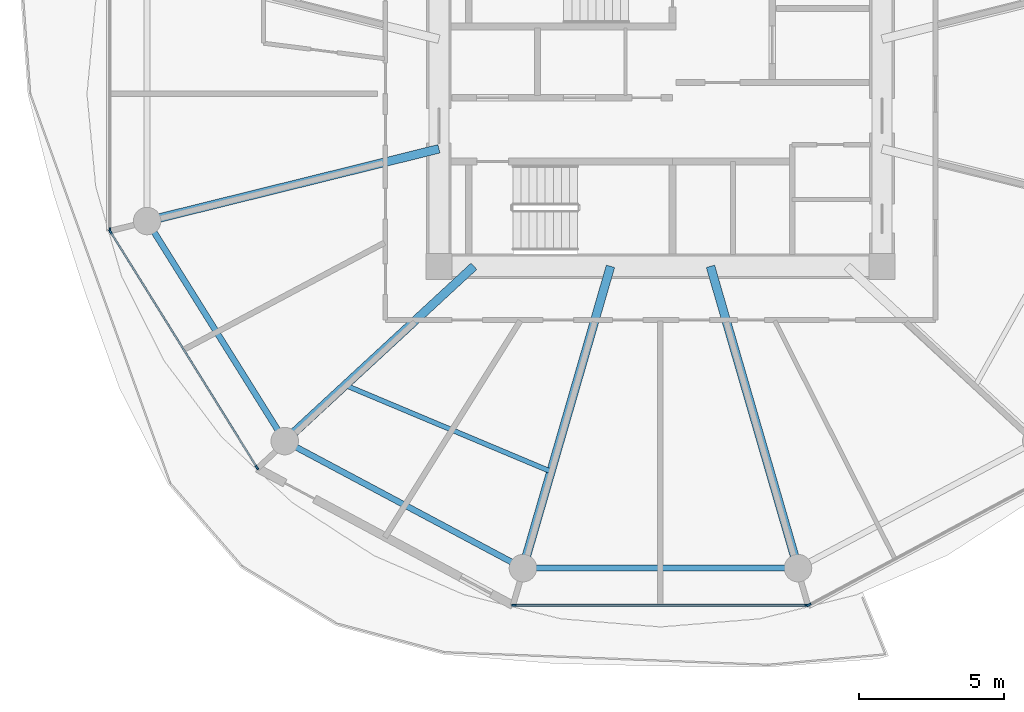
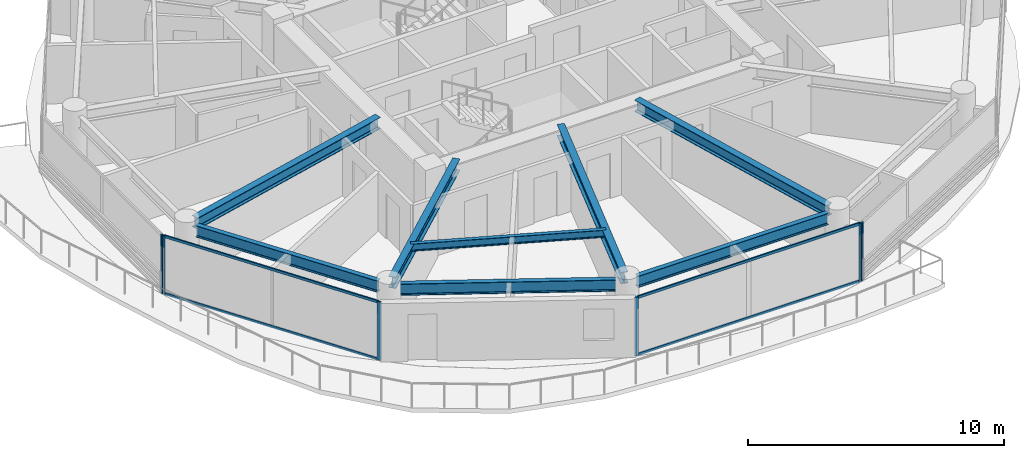
# One storey, part 2 of 28: 10 members, 8 beams, 4 elements without a shape of their own.
"""IFC4 building model written with IfcOpenShell, lengths in metres."""

from ifc_helpers import new_model, si_unit, direction, frame, origin, origin_2d, place, context, subcontext, project, spatial, rectangle, i_section, extrude, source, transform, mapped, material, layer, layer_set, material_profile, profile_set, type_object, type_shapes, element, aggregate, save


model = new_model("IFC4")

# Units and contexts
model_context = context("Model", 3, precision=1e-05, world=origin(), true_north=direction((0.0, 1.0)))
body_context = subcontext(model_context, "Body", "Model", "MODEL_VIEW")
ifc_project = project(units=[si_unit("LENGTHUNIT", "METRE"), si_unit("AREAUNIT", "SQUARE_METRE"), si_unit("VOLUMEUNIT", "CUBIC_METRE"), si_unit("PLANEANGLEUNIT", "RADIAN"), si_unit("MASSUNIT", "GRAM", prefix="KILO")], contexts=[model_context])

# Site, building, storey
site_placement = place(None, origin())
site = spatial("IfcSite", under=ifc_project, at=site_placement, CompositionType="ELEMENT")
building_placement = place(site_placement, origin())
building = spatial("IfcBuilding", under=site, at=building_placement, Name="Norrkilde Senior Care Towers", CompositionType="ELEMENT")
storey_placement = place(building_placement, frame((0.0, 0.0, 39.89990234375)))
storey = spatial("IfcBuildingStorey", under=building, at=storey_placement, Name="L11", CompositionType="ELEMENT", Elevation=39.89990234375)

# Beams
ifc_material_1 = material(Name="Steel S355", Category="steel")
ifc_material_profile_1 = material_profile(ifc_material_1, i_section(OverallWidth=0.2099609375, OverallDepth=0.550048828125, WebThickness=0.010986328125, FlangeThickness=0.01708984375, FilletRadius=0.02392578125, at=origin_2d()), Name="IPE 550")
ifc_profile_set_1 = profile_set([ifc_material_profile_1], Name="Steel S355")
beam_type_1 = type_object("IfcBeamType", Name="Perimeter Ring Spandrel Z1 IPE550", PredefinedType="SPANDREL", material=ifc_profile_set_1)
shared_shape_1 = source(origin(), body_context, "Body", "SweptSolid", [
    extrude(i_section(OverallWidth=0.2099609375, OverallDepth=0.550048828125, WebThickness=0.010986328125, FlangeThickness=0.01708984375, FilletRadius=0.02392578125, at=origin_2d()), origin(), (0.0, 0.0, 1.0), 8.090576171875),
])
beam_1_placement = place(storey_placement, frame((-45.494140625, -4.755859375, 2.51513671875), z_axis=(0.530004364821, -0.84799491347, 0.0), x_axis=(0.84799491347, 0.530004364821, 0.0)))
element("IfcBeam", 1, at=beam_1_placement, inside=storey, type_object=beam_type_1, Name="L11 Drum W Perimeter Spandrel 07", PredefinedType="SPANDREL", context=body_context, shape_type="MappedRepresentation", body=[
    mapped(shared_shape_1, transform((0.0, 0.0, 0.0), x_axis=(1.0, 0.0, 0.0), y_axis=(0.0, 1.0, 0.0), z_axis=(0.0, 0.0, 1.0), scale=1.0)),
])
ifc_material_profile_2 = material_profile(ifc_material_1, i_section(OverallWidth=0.300048828125, OverallDepth=0.550048828125, WebThickness=0.014892578125, FlangeThickness=0.029052734375, FilletRadius=0.027099609375, at=origin_2d()), Name="HEB 550")
ifc_profile_set_2 = profile_set([ifc_material_profile_2], Name="Steel S355")
beam_type_2 = type_object("IfcBeamType", Name="Radial Floor Beam Z1 HEB550", PredefinedType="BEAM", material=ifc_profile_set_2)
shared_shape_2 = source(origin(), body_context, "Body", "SweptSolid", [
    extrude(i_section(OverallWidth=0.300048828125, OverallDepth=0.550048828125, WebThickness=0.014892578125, FlangeThickness=0.029052734375, FilletRadius=0.027099609375, at=origin_2d()), origin(), (0.0, 0.0, 1.0), 9.94384765625),
])
beam_2_placement = place(storey_placement, frame((-35.64990234375, -1.893310546875, 2.51513671875), z_axis=(-0.970707425182, -0.240264634718, 0.0), x_axis=(0.240264634718, -0.970707425182, 0.0)))
element("IfcBeam", 2, at=beam_2_placement, inside=storey, type_object=beam_type_2, Name="L11 Drum W Radial Floor Beam 07", PredefinedType="BEAM", context=body_context, shape_type="MappedRepresentation", body=[
    mapped(shared_shape_2, transform((0.0, 0.0, 0.0), x_axis=(1.0, 0.0, 0.0), y_axis=(0.0, 1.0, 0.0), z_axis=(0.0, 0.0, 1.0), scale=1.0)),
])
shared_shape_3 = source(origin(), body_context, "Body", "SweptSolid", [
    extrude(i_section(OverallWidth=0.2099609375, OverallDepth=0.550048828125, WebThickness=0.010986328125, FlangeThickness=0.01708984375, FilletRadius=0.02392578125, at=origin_2d()), origin(), (0.0, 0.0, 1.0), 8.452880859375),
])
beam_3_placement = place(storey_placement, frame((-40.591552734375, -12.190185546875, 2.51513671875), z_axis=(0.882368931134, -0.470558252898, 0.0), x_axis=(0.470558252898, 0.882368931134, 0.0)))
element("IfcBeam", 3, at=beam_3_placement, inside=storey, type_object=beam_type_1, Name="L11 Drum W Perimeter Spandrel 08", PredefinedType="SPANDREL", context=body_context, shape_type="MappedRepresentation", body=[
    mapped(shared_shape_3, transform((0.0, 0.0, 0.0), x_axis=(1.0, 0.0, 0.0), y_axis=(0.0, 1.0, 0.0), z_axis=(0.0, 0.0, 1.0), scale=1.0)),
])
shared_shape_4 = source(origin(), body_context, "Body", "SweptSolid", [
    extrude(i_section(OverallWidth=0.300048828125, OverallDepth=0.550048828125, WebThickness=0.014892578125, FlangeThickness=0.029052734375, FilletRadius=0.027099609375, at=origin_2d()), origin(), (0.0, 0.0, 1.0), 8.459716796875),
])
beam_4_placement = place(storey_placement, frame((-34.44140625, -5.949951171875, 2.51513671875), z_axis=(-0.734573269108, -0.678529374686, 0.0), x_axis=(0.678529374686, -0.734573269108, 0.0)))
element("IfcBeam", 4, at=beam_4_placement, inside=storey, type_object=beam_type_2, Name="L11 Drum W Radial Floor Beam 08", PredefinedType="BEAM", context=body_context, shape_type="MappedRepresentation", body=[
    mapped(shared_shape_4, transform((0.0, 0.0, 0.0), x_axis=(1.0, 0.0, 0.0), y_axis=(0.0, 1.0, 0.0), z_axis=(0.0, 0.0, 1.0), scale=1.0)),
])
shared_shape_5 = source(origin(), body_context, "Body", "SweptSolid", [
    extrude(i_section(OverallWidth=0.2099609375, OverallDepth=0.550048828125, WebThickness=0.010986328125, FlangeThickness=0.01708984375, FilletRadius=0.02392578125, at=origin_2d()), origin(), (0.0, 0.0, 1.0), 8.62841796875),
])
type_shapes(beam_type_1, [shared_shape_1, shared_shape_3, shared_shape_5])
beam_5_placement = place(storey_placement, frame((-32.314208984375, -16.37255859375, 2.51513671875), z_axis=(1.0, 0.0, 0.0), x_axis=(0.0, 1.0, 0.0)))
element("IfcBeam", 5, at=beam_5_placement, inside=storey, type_object=beam_type_1, Name="L11 Drum W Perimeter Spandrel 09", PredefinedType="SPANDREL", context=body_context, shape_type="MappedRepresentation", body=[
    mapped(shared_shape_5, transform((0.0, 0.0, 0.0), x_axis=(1.0, 0.0, 0.0), y_axis=(0.0, 1.0, 0.0), z_axis=(0.0, 0.0, 1.0), scale=1.0)),
])
shared_shape_6 = source(origin(), body_context, "Body", "SweptSolid", [
    extrude(i_section(OverallWidth=0.300048828125, OverallDepth=0.550048828125, WebThickness=0.014892578125, FlangeThickness=0.029052734375, FilletRadius=0.027099609375, at=origin_2d()), origin(), (0.0, 0.0, 1.0), 10.4169921875),
])
type_shapes(beam_type_2, [shared_shape_2, shared_shape_4, shared_shape_6])
for number, where, z_axis, x_axis, name in (
    (6, (-29.72607421875, -5.949951171875, 2.51513671875), (-0.278591250785, -0.960409764104, 0.0), (0.960409764104, -0.278591250785, 0.0), "L11 Drum W Radial Floor Beam 09"),
    (7, (-26.27392578125, -5.949951171875, 2.51513671875), (0.278591250785, -0.960409764104, 0.0), (0.960409764104, 0.278591250785, 0.0), "L11 Drum W Radial Floor Beam 10"),
):
    element("IfcBeam", number, at=place(storey_placement, frame(where, z_axis=z_axis, x_axis=x_axis)), inside=storey, type_object=beam_type_2, Name=name, PredefinedType="BEAM", context=body_context, shape_type="MappedRepresentation", body=[
        mapped(shared_shape_6, transform((0.0, 0.0, 0.0), x_axis=(1.0, 0.0, 0.0), y_axis=(0.0, 1.0, 0.0), z_axis=(0.0, 0.0, 1.0), scale=1.0)),
    ])
ifc_material_profile_3 = material_profile(ifc_material_1, i_section(OverallWidth=0.169921875, OverallDepth=0.360107421875, WebThickness=0.008056640625, FlangeThickness=0.0126953125, FilletRadius=0.01806640625, at=origin_2d()), Name="IPE 360")
ifc_profile_set_3 = profile_set([ifc_material_profile_3], Name="Steel S355")
beam_type_3 = type_object("IfcBeamType", Name="Secondary Floor Joist IPE360", PredefinedType="JOIST", material=ifc_profile_set_3)
shared_shape_7 = source(origin(), body_context, "Body", "SweptSolid", [
    extrude(i_section(OverallWidth=0.169921875, OverallDepth=0.360107421875, WebThickness=0.008056640625, FlangeThickness=0.0126953125, FilletRadius=0.01806640625, at=origin_2d()), origin(), (0.0, 0.0, 1.0), 7.703857421875),
])
type_shapes(beam_type_3, [shared_shape_7])
beam_6_placement = place(storey_placement, frame((-38.884521484375, -10.05419921875, 2.610107421875), z_axis=(0.921982784465, -0.387230868023, 0.0), x_axis=(0.387230868023, 0.921982784465, 0.0)))
element("IfcBeam", 8, at=beam_6_placement, inside=storey, type_object=beam_type_3, Name="L11 Drum W Secondary Floor Joist 3", PredefinedType="JOIST", context=body_context, shape_type="MappedRepresentation", body=[
    mapped(shared_shape_7, transform((0.0, 0.0, 0.0), x_axis=(1.0, 0.0, 0.0), y_axis=(0.0, 1.0, 0.0), z_axis=(0.0, 0.0, 1.0), scale=1.0)),
])

# Curtain wall, member
ifc_material_2 = material(Name="Triple Low-E Insulated Glazing", Category="glass")
ifc_layer = layer(ifc_material_2, 0.199951171875)
ifc_layer_set = layer_set([ifc_layer], Name="Triple Low-E Insulated Glazing")
curtain_wall_type = type_object("IfcCurtainWallType", Name="CW2 Zone 1 Memory Care Curtain Wall", PredefinedType="NOTDEFINED", material=ifc_layer_set)
curtain_wall_1_placement = place(storey_placement, origin())
curtain_wall_1 = element("IfcCurtainWall", 9, at=curtain_wall_1_placement, inside=storey, type_object=curtain_wall_type, Name="L11 Drum W Curtain Wall 05", PredefinedType="NOTDEFINED")
ifc_material_3 = material(Name="Anodised Aluminium", Category="aluminium")
ifc_material_profile_4 = material_profile(ifc_material_3, rectangle(XDim=0.06494140625, YDim=0.159912109375, at=origin_2d()), Name="ALU MULL 65x160")
ifc_profile_set_4 = profile_set([ifc_material_profile_4], Name="Anodised Aluminium")
member_type_1 = type_object("IfcMemberType", Name="Curtain Wall Mullion Z1-Z2 65x160", PredefinedType="MULLION", material=ifc_profile_set_4)
shared_shape_8 = source(origin(), body_context, "Body", "SweptSolid", [
    extrude(rectangle(XDim=0.06494140625, YDim=0.159912109375, at=origin_2d()), origin(), (0.0, 0.0, 1.0), 2.7900390625),
])
type_shapes(member_type_1, [shared_shape_8])
member_1_placement = place(storey_placement, frame((-47.009521484375, -4.69873046875, 0.0), z_axis=(0.0, 0.0, 1.0), x_axis=(-1.0, 0.0, 0.0)))
member_1 = element("IfcMember", 10, at=member_1_placement, type_object=member_type_1, Name="CW-2 mullion 1", PredefinedType="MULLION", context=body_context, shape_type="MappedRepresentation", body=[
    mapped(shared_shape_8, transform((0.0, 0.0, 0.0), x_axis=(1.0, 0.0, 0.0), y_axis=(0.0, 1.0, 0.0), z_axis=(0.0, 0.0, 1.0), scale=1.0)),
])
aggregate(curtain_wall_1, [member_1])

# Curtain wall, members
curtain_wall_2_placement = place(storey_placement, origin())
curtain_wall_2 = element("IfcCurtainWall", 11, at=curtain_wall_2_placement, inside=storey, type_object=curtain_wall_type, Name="L11 Drum W Curtain Wall 06", PredefinedType="NOTDEFINED")
member_2_placement = place(storey_placement, frame((-41.93310546875, -12.898193359375, 0.0), z_axis=(0.0, 0.0, 1.0), x_axis=(-0.849305943117, -0.527900951871, 0.0)))
member_2 = element("IfcMember", 12, at=member_2_placement, type_object=member_type_1, Name="CW-2 mullion 1", PredefinedType="MULLION", context=body_context, shape_type="MappedRepresentation", body=[
    mapped(shared_shape_8, transform((0.0, 0.0, 0.0), x_axis=(1.0, 0.0, 0.0), y_axis=(0.0, 1.0, 0.0), z_axis=(0.0, 0.0, 1.0), scale=1.0)),
])
member_3_placement = place(storey_placement, frame((-46.9921875, -4.7587890625, 0.0), z_axis=(0.0, 0.0, 1.0), x_axis=(-0.849305943117, -0.527900951871, 0.0)))
member_3 = element("IfcMember", 13, at=member_3_placement, type_object=member_type_1, Name="CW-2 mullion 2", PredefinedType="MULLION", context=body_context, shape_type="MappedRepresentation", body=[
    mapped(shared_shape_8, transform((0.0, 0.0, 0.0), x_axis=(1.0, 0.0, 0.0), y_axis=(0.0, 1.0, 0.0), z_axis=(0.0, 0.0, 1.0), scale=1.0)),
])

curtain_wall_3_placement = place(storey_placement, origin())
curtain_wall_3 = element("IfcCurtainWall", 14, at=curtain_wall_3_placement, inside=storey, type_object=curtain_wall_type, Name="L11 Drum W Curtain Wall 08", PredefinedType="NOTDEFINED")
member_4_placement = place(storey_placement, frame((-22.93896484375, -17.6572265625, 0.0), z_axis=(0.0, 0.0, 1.0), x_axis=(0.0, -1.0, 0.0)))
member_4 = element("IfcMember", 15, at=member_4_placement, type_object=member_type_1, Name="CW-2 mullion 1", PredefinedType="MULLION", context=body_context, shape_type="MappedRepresentation", body=[
    mapped(shared_shape_8, transform((0.0, 0.0, 0.0), x_axis=(1.0, 0.0, 0.0), y_axis=(0.0, 1.0, 0.0), z_axis=(0.0, 0.0, 1.0), scale=1.0)),
])
member_5_placement = place(storey_placement, frame((-33.06103515625, -17.6572265625, 0.0), z_axis=(0.0, 0.0, 1.0), x_axis=(0.0, -1.0, 0.0)))
member_5 = element("IfcMember", 16, at=member_5_placement, type_object=member_type_1, Name="CW-2 mullion 2", PredefinedType="MULLION", context=body_context, shape_type="MappedRepresentation", body=[
    mapped(shared_shape_8, transform((0.0, 0.0, 0.0), x_axis=(1.0, 0.0, 0.0), y_axis=(0.0, 1.0, 0.0), z_axis=(0.0, 0.0, 1.0), scale=1.0)),
])

# Curtain wall, member
curtain_wall_4_placement = place(storey_placement, origin())
curtain_wall_4 = element("IfcCurtainWall", 17, at=curtain_wall_4_placement, inside=storey, type_object=curtain_wall_type, Name="L11 Drum W Curtain Wall 09", PredefinedType="NOTDEFINED")
member_6_placement = place(storey_placement, frame((-22.877685546875, -17.641845703125, 0.0), z_axis=(0.0, 0.0, 1.0), x_axis=(0.472607802456, -0.881272866403, 0.0)))
member_6 = element("IfcMember", 18, at=member_6_placement, type_object=member_type_1, Name="CW-2 mullion 2", PredefinedType="MULLION", context=body_context, shape_type="MappedRepresentation", body=[
    mapped(shared_shape_8, transform((0.0, 0.0, 0.0), x_axis=(1.0, 0.0, 0.0), y_axis=(0.0, 1.0, 0.0), z_axis=(0.0, 0.0, 1.0), scale=1.0)),
])
aggregate(curtain_wall_4, [member_6])

# Member
ifc_material_profile_5 = material_profile(ifc_material_3, rectangle(XDim=0.06005859375, YDim=0.1201171875, at=origin_2d()), Name="ALU TRAN 60x120")
ifc_profile_set_5 = profile_set([ifc_material_profile_5], Name="Anodised Aluminium")
member_type_2 = type_object("IfcMemberType", Name="Curtain Wall Transom Typical 60x120", PredefinedType="USERDEFINED", material=ifc_profile_set_5)
shared_shape_9 = source(origin(), body_context, "Body", "SweptSolid", [
    extrude(rectangle(XDim=0.06005859375, YDim=0.1201171875, at=origin_2d()), origin(), (0.0, 0.0, 1.0), 9.5185546875),
])
member_7_placement = place(storey_placement, frame((-41.9501953125, -12.87060546875, 0.030029296875), z_axis=(-0.527901620669, 0.849305527413, 0.0), x_axis=(-0.849305527413, -0.527901620669, 0.0)))
member_7 = element("IfcMember", 19, at=member_7_placement, type_object=member_type_2, Name="CW-2 transom 1.1", ObjectType="TRANSOM", PredefinedType="USERDEFINED", context=body_context, shape_type="MappedRepresentation", body=[
    mapped(shared_shape_9, transform((0.0, 0.0, 0.0), x_axis=(1.0, 0.0, 0.0), y_axis=(0.0, 1.0, 0.0), z_axis=(0.0, 0.0, 1.0), scale=1.0)),
])

member_8_placement = place(storey_placement, frame((-41.9501953125, -12.87060546875, 2.760009765625), z_axis=(-0.527901620669, 0.849305527413, 0.0), x_axis=(-0.849305527413, -0.527901620669, 0.0)))
member_8 = element("IfcMember", 20, at=member_8_placement, type_object=member_type_2, Name="CW-2 transom 1.2", ObjectType="TRANSOM", PredefinedType="USERDEFINED", context=body_context, shape_type="MappedRepresentation", body=[
    mapped(shared_shape_9, transform((0.0, 0.0, 0.0), x_axis=(1.0, 0.0, 0.0), y_axis=(0.0, 1.0, 0.0), z_axis=(0.0, 0.0, 1.0), scale=1.0)),
])

aggregate(curtain_wall_2, [member_2, member_3, member_7, member_8])

shared_shape_10 = source(origin(), body_context, "Body", "SweptSolid", [
    extrude(rectangle(XDim=0.06005859375, YDim=0.1201171875, at=origin_2d()), origin(), (0.0, 0.0, 1.0), 10.05712890625),
])
type_shapes(member_type_2, [shared_shape_9, shared_shape_10])
member_9_placement = place(storey_placement, frame((-22.971435546875, -17.6572265625, 0.030029296875), z_axis=(-1.0, 0.0, 0.0), x_axis=(0.0, -1.0, 0.0)))
member_9 = element("IfcMember", 21, at=member_9_placement, type_object=member_type_2, Name="CW-2 transom 1.1", ObjectType="TRANSOM", PredefinedType="USERDEFINED", context=body_context, shape_type="MappedRepresentation", body=[
    mapped(shared_shape_10, transform((0.0, 0.0, 0.0), x_axis=(1.0, 0.0, 0.0), y_axis=(0.0, 1.0, 0.0), z_axis=(0.0, 0.0, 1.0), scale=1.0)),
])

member_10_placement = place(storey_placement, frame((-22.971435546875, -17.6572265625, 2.760009765625), z_axis=(-1.0, 0.0, 0.0), x_axis=(0.0, -1.0, 0.0)))
member_10 = element("IfcMember", 22, at=member_10_placement, type_object=member_type_2, Name="CW-2 transom 1.2", ObjectType="TRANSOM", PredefinedType="USERDEFINED", context=body_context, shape_type="MappedRepresentation", body=[
    mapped(shared_shape_10, transform((0.0, 0.0, 0.0), x_axis=(1.0, 0.0, 0.0), y_axis=(0.0, 1.0, 0.0), z_axis=(0.0, 0.0, 1.0), scale=1.0)),
])

aggregate(curtain_wall_3, [member_4, member_5, member_9, member_10])

save(model, "model.ifc")
